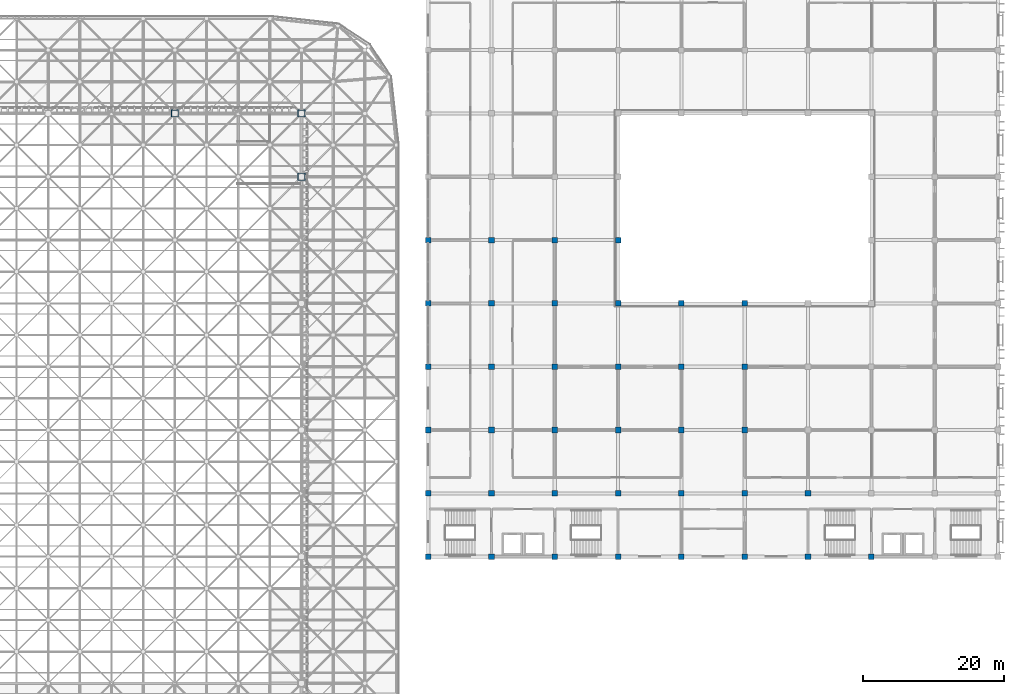
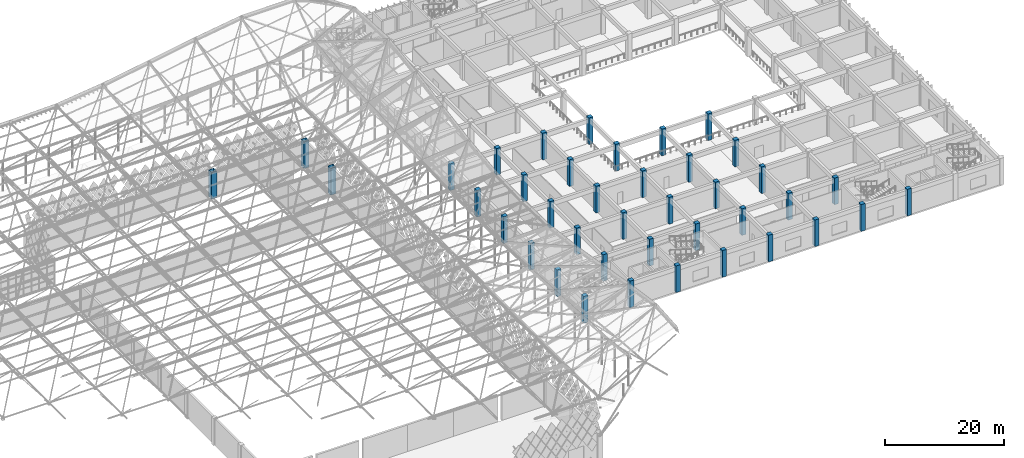
# One storey, part 9 of 437: 40 columns.
"""IFC4 building model written with IfcOpenShell, lengths in metres."""

from ifc_helpers import new_model, si_unit, direction, frame, origin, origin_2d, place, context, subcontext, project, spatial, rectangle, hollow_rectangle, extrude, material, material_profile, profile_set, type_object, element, save


model = new_model("IFC4")

# Units and contexts
model_context = context("Model", 3, precision=1e-05, world=origin(), true_north=direction((0.0, 1.0)))
body_context = subcontext(model_context, "Body", "Model", "MODEL_VIEW")
ifc_project = project(units=[si_unit("LENGTHUNIT", "METRE"), si_unit("AREAUNIT", "SQUARE_METRE"), si_unit("VOLUMEUNIT", "CUBIC_METRE"), si_unit("PLANEANGLEUNIT", "RADIAN"), si_unit("MASSUNIT", "GRAM", prefix="KILO")], contexts=[model_context])

# Site, building, storey
site_placement = place(None, origin())
site = spatial("IfcSite", under=ifc_project, at=site_placement, CompositionType="ELEMENT")
building_placement = place(site_placement, origin())
building = spatial("IfcBuilding", under=site, at=building_placement, Name="Opaline Strait Convention Centre", CompositionType="ELEMENT")
storey_placement = place(building_placement, frame((0.0, 0.0, 11.5)))
storey = spatial("IfcBuildingStorey", under=building, at=storey_placement, Name="L02", CompositionType="ELEMENT", Elevation=11.5)

# Columns
ifc_material_1 = material(Name="Steel Q355B", Category="steel")
ifc_material_profile_1 = material_profile(ifc_material_1, hollow_rectangle(XDim=1.0, YDim=1.0, WallThickness=0.031982421875, at=origin_2d()), Name="BOX 1000x1000x32")
ifc_profile_set_1 = profile_set([ifc_material_profile_1], Name="Steel Q355B")
column_type_1 = type_object("IfcColumnType", Name="CFT column BOX 1000x1000x32 C60 fill", PredefinedType="COLUMN", material=ifc_profile_set_1)
for number, where, z_axis, x_axis, name in (
    (1, (243.0, 153.0, 0.0), (0.0, 0.0, 1.0), (1.0, 0.0, 0.0), "Roof column XC-23"),
    (2, (261.0, 144.0, 0.0), (0.0, 0.0, 1.0), (1.0, 0.0, 0.0), "Roof column XC-29"),
    (3, (261.0, 153.0, 0.0), (0.0, 0.0, 1.0), (1.0, 0.0, 0.0), "Roof column XC-30"),
):
    element("IfcColumn", number, at=place(storey_placement, frame(where, z_axis=z_axis, x_axis=x_axis)), inside=storey, type_object=column_type_1, Name=name, ObjectType="XC1", PredefinedType="COLUMN", context=body_context, shape_type="SweptSolid", body=[
        extrude(hollow_rectangle(XDim=1.0, YDim=1.0, WallThickness=0.031982421875, at=origin_2d()), origin(), (0.0, 0.0, 1.0), 5.5),
    ])
ifc_material_2 = material(Name="Concrete C40", Category="concrete")
ifc_material_profile_2 = material_profile(ifc_material_2, rectangle(XDim=0.800048828125, YDim=0.800048828125, at=origin_2d()), Name="RC 800x800")
ifc_profile_set_2 = profile_set([ifc_material_profile_2], Name="Concrete C40")
column_type_2 = type_object("IfcColumnType", Name="RC column 800x800 C40", PredefinedType="COLUMN", material=ifc_profile_set_2)
for number, where, z_axis, x_axis, name in (
    (4, (279.0, 90.0, 0.0), (0.0, 0.0, 1.0), (1.0, 0.0, 0.0), "XC2 L02 at 32/L"),
    (5, (279.0, 99.0, 0.0), (0.0, 0.0, 1.0), (1.0, 0.0, 0.0), "XC2 L02 at 32/M"),
    (6, (279.0, 108.0, 0.0), (0.0, 0.0, 1.0), (1.0, 0.0, 0.0), "XC2 L02 at 32/N"),
    (7, (279.0, 117.0, 0.0), (0.0, 0.0, 1.0), (1.0, 0.0, 0.0), "XC2 L02 at 32/P"),
    (8, (279.0, 126.0, 0.0), (0.0, 0.0, 1.0), (1.0, 0.0, 0.0), "XC2 L02 at 32/Q"),
    (9, (279.0, 135.0, 0.0), (0.0, 0.0, 1.0), (1.0, 0.0, 0.0), "XC2 L02 at 32/R"),
    (10, (288.0, 90.0, 0.0), (0.0, 0.0, 1.0), (1.0, 0.0, 0.0), "XC2 L02 at 33/L"),
    (11, (288.0, 99.0, 0.0), (0.0, 0.0, 1.0), (1.0, 0.0, 0.0), "XC2 L02 at 33/M"),
    (12, (288.0, 108.0, 0.0), (0.0, 0.0, 1.0), (1.0, 0.0, 0.0), "XC2 L02 at 33/N"),
    (13, (288.0, 117.0, 0.0), (0.0, 0.0, 1.0), (1.0, 0.0, 0.0), "XC2 L02 at 33/P"),
    (14, (288.0, 126.0, 0.0), (0.0, 0.0, 1.0), (1.0, 0.0, 0.0), "XC2 L02 at 33/Q"),
    (15, (288.0, 135.0, 0.0), (0.0, 0.0, 1.0), (1.0, 0.0, 0.0), "XC2 L02 at 33/R"),
    (16, (297.0, 90.0, 0.0), (0.0, 0.0, 1.0), (1.0, 0.0, 0.0), "XC2 L02 at 34/L"),
    (17, (297.0, 99.0, 0.0), (0.0, 0.0, 1.0), (1.0, 0.0, 0.0), "XC2 L02 at 34/M"),
    (18, (297.0, 108.0, 0.0), (0.0, 0.0, 1.0), (1.0, 0.0, 0.0), "XC2 L02 at 34/N"),
    (19, (297.0, 117.0, 0.0), (0.0, 0.0, 1.0), (1.0, 0.0, 0.0), "XC2 L02 at 34/P"),
    (20, (297.0, 126.0, 0.0), (0.0, 0.0, 1.0), (1.0, 0.0, 0.0), "XC2 L02 at 34/Q"),
    (21, (297.0, 135.0, 0.0), (0.0, 0.0, 1.0), (1.0, 0.0, 0.0), "XC2 L02 at 34/R"),
    (22, (306.0, 90.0, 0.0), (0.0, 0.0, 1.0), (1.0, 0.0, 0.0), "XC2 L02 at 35/L"),
    (23, (306.0, 99.0, 0.0), (0.0, 0.0, 1.0), (1.0, 0.0, 0.0), "XC2 L02 at 35/M"),
    (24, (306.0, 108.0, 0.0), (0.0, 0.0, 1.0), (1.0, 0.0, 0.0), "XC2 L02 at 35/N"),
    (25, (306.0, 117.0, 0.0), (0.0, 0.0, 1.0), (1.0, 0.0, 0.0), "XC2 L02 at 35/P"),
    (26, (306.0, 126.0, 0.0), (0.0, 0.0, 1.0), (1.0, 0.0, 0.0), "XC2 L02 at 35/Q"),
    (27, (306.0, 135.0, 0.0), (0.0, 0.0, 1.0), (1.0, 0.0, 0.0), "XC2 L02 at 35/R"),
    (28, (315.0, 90.0, 0.0), (0.0, 0.0, 1.0), (1.0, 0.0, 0.0), "XC2 L02 at 36/L"),
    (29, (315.0, 99.0, 0.0), (0.0, 0.0, 1.0), (1.0, 0.0, 0.0), "XC2 L02 at 36/M"),
    (30, (315.0, 108.0, 0.0), (0.0, 0.0, 1.0), (1.0, 0.0, 0.0), "XC2 L02 at 36/N"),
    (31, (315.0, 117.0, 0.0), (0.0, 0.0, 1.0), (1.0, 0.0, 0.0), "XC2 L02 at 36/P"),
    (32, (315.0, 126.0, 0.0), (0.0, 0.0, 1.0), (1.0, 0.0, 0.0), "XC2 L02 at 36/Q"),
    (33, (324.0, 90.0, 0.0), (0.0, 0.0, 1.0), (1.0, 0.0, 0.0), "XC2 L02 at 37/L"),
    (34, (324.0, 99.0, 0.0), (0.0, 0.0, 1.0), (1.0, 0.0, 0.0), "XC2 L02 at 37/M"),
    (35, (324.0, 108.0, 0.0), (0.0, 0.0, 1.0), (1.0, 0.0, 0.0), "XC2 L02 at 37/N"),
    (36, (324.0, 117.0, 0.0), (0.0, 0.0, 1.0), (1.0, 0.0, 0.0), "XC2 L02 at 37/P"),
    (37, (324.0, 126.0, 0.0), (0.0, 0.0, 1.0), (1.0, 0.0, 0.0), "XC2 L02 at 37/Q"),
    (38, (333.0, 90.0, 0.0), (0.0, 0.0, 1.0), (1.0, 0.0, 0.0), "XC2 L02 at 38/L"),
    (39, (333.0, 99.0, 0.0), (0.0, 0.0, 1.0), (1.0, 0.0, 0.0), "XC2 L02 at 38/M"),
    (40, (342.0, 90.0, 0.0), (0.0, 0.0, 1.0), (1.0, 0.0, 0.0), "XC2 L02 at 39/L"),
):
    element("IfcColumn", number, at=place(storey_placement, frame(where, z_axis=z_axis, x_axis=x_axis)), inside=storey, type_object=column_type_2, Name=name, PredefinedType="COLUMN", context=body_context, shape_type="SweptSolid", body=[
        extrude(rectangle(XDim=0.800048828125, YDim=0.800048828125, at=origin_2d()), origin(), (0.0, 0.0, 1.0), 5.5),
    ])

save(model, "model.ifc")
